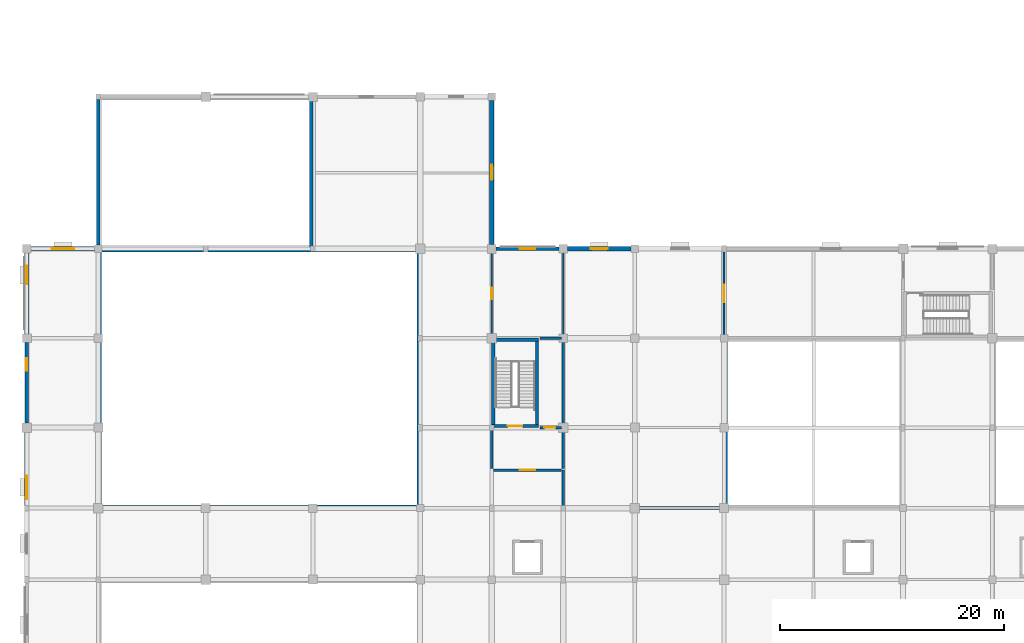
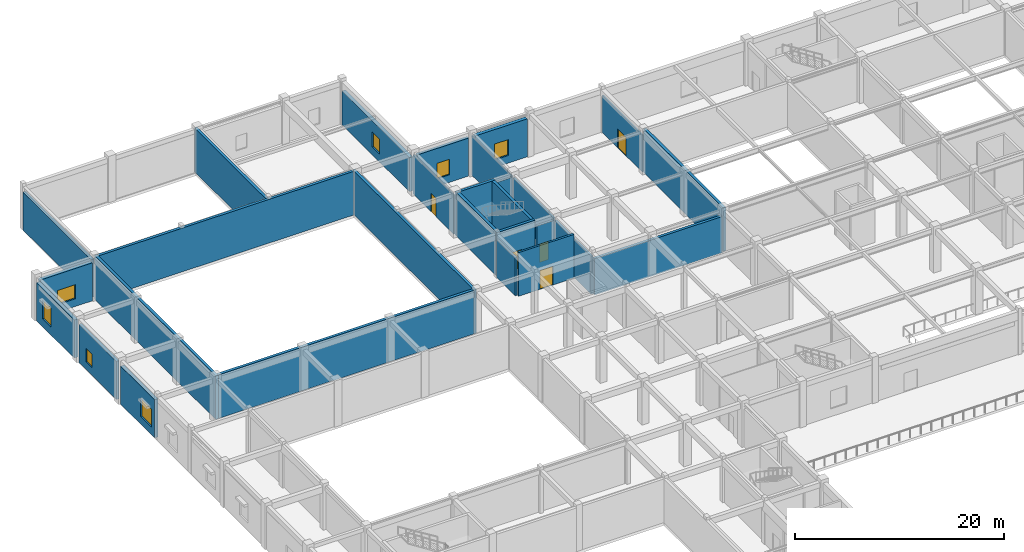
# One storey, part 25 of 36: 29 walls, 7 windows, 5 doors, 12 openings.
"""IFC4 building model written with IfcOpenShell, lengths in metres."""

from ifc_helpers import new_model, si_unit, direction, frame, frame_2d, origin, place, context, subcontext, project, spatial, rectangle, extrude, material, layer, layer_set, type_object, element, fill, save


model = new_model("IFC4")

# Units and contexts
model_context = context("Model", 3, precision=1e-05, world=origin(), true_north=direction((0.0, 1.0)))
body_context = subcontext(model_context, "Body", "Model", "MODEL_VIEW")
ifc_project = project(units=[si_unit("LENGTHUNIT", "METRE"), si_unit("AREAUNIT", "SQUARE_METRE"), si_unit("VOLUMEUNIT", "CUBIC_METRE"), si_unit("PLANEANGLEUNIT", "RADIAN"), si_unit("MASSUNIT", "GRAM", prefix="KILO")], contexts=[model_context])

# Site, building, storey
site_placement = place(None, origin())
site = spatial("IfcSite", under=ifc_project, at=site_placement, CompositionType="ELEMENT")
building_placement = place(site_placement, origin())
building = spatial("IfcBuilding", under=site, at=building_placement, Name="Vellmiral Cinema and Media Centre", CompositionType="ELEMENT")
storey_placement = place(building_placement, frame((0.0, 0.0, 5.39990234375)))
storey = spatial("IfcBuildingStorey", under=building, at=storey_placement, Name="L01", CompositionType="ELEMENT", Elevation=5.39990234375)

# Walls
ifc_material_1 = material(Name="Calcium-Silicate Masonry Blockwork", Category="masonry")
ifc_layer_1 = layer(ifc_material_1, 0.10009765625, Name="Calcium-Silicate Masonry Blockwork", Category="masonry")
ifc_material_2 = material(Name="Mineral Wool Acoustic Insulation", Category="insulation")
ifc_layer_2 = layer(ifc_material_2, 0.090087890625, Name="Mineral Wool Acoustic Insulation", Category="insulation")
ifc_layer_3 = layer(ifc_material_1, 0.10009765625, Name="Calcium-Silicate Masonry Blockwork", Category="masonry")
ifc_layer_set_1 = layer_set([ifc_layer_1, ifc_layer_2, ifc_layer_3], Name="Calcium-Silicate Masonry Blockwork")
wall_type_1 = type_object("IfcWallType", Name="WL-AC-290", PredefinedType="SOLIDWALL", material=ifc_layer_set_1)
wall_1_placement = place(storey_placement, frame((48.139892578125, 72.0, 0.0), z_axis=(0.0, 0.0, 1.0), x_axis=(1.0, 0.0, 0.0)))
element("IfcWall", 1, at=wall_1_placement, inside=storey, type_object=wall_type_1, Name="Broadcast Transmission Control Room A Wall N", PredefinedType="SOLIDWALL", context=body_context, shape_type="SweptSolid", body=[
    extrude(rectangle(XDim=14.1201171875, YDim=0.2900390625, at=frame_2d((7.06005859375, 0.0))), origin(), (0.0, 0.0, 1.0), 4.235107421875),
])
ifc_material_3 = material(Name="Concrete C40/50", Category="concrete")
ifc_layer_4 = layer(ifc_material_3, 0.2099609375, Name="Concrete C40/50")
ifc_layer_set_2 = layer_set([ifc_layer_4], Name="Concrete C40/50")
wall_type_2 = type_object("IfcWallType", Name="WL-COMP-210", PredefinedType="SOLIDWALL", material=ifc_layer_set_2)
wall_2_placement = place(storey_placement, frame((45.93994140625, 87.199951171875, 0.0), z_axis=(0.0, 0.0, 1.0), x_axis=(1.0, 0.0, 0.0)))
element("IfcWall", 2, at=wall_2_placement, inside=storey, type_object=wall_type_2, Name="North-West Core Smoke Riser Room Wall N", PredefinedType="SOLIDWALL", context=body_context, shape_type="SweptSolid", body=[
    extrude(rectangle(XDim=1.920166015625, YDim=0.2099609375, at=frame_2d((0.9599609375, 0.0))), origin(), (0.0, 0.0, 1.0), 4.585205078125),
])
wall_3_placement = place(storey_placement, frame((48.0, 79.340087890625, 0.0), z_axis=(0.0, 0.0, 1.0), x_axis=(0.0, 1.0, 0.0)))
element("IfcWall", 3, at=wall_3_placement, inside=storey, type_object=wall_type_2, Name="North-West Core Smoke Riser Room Wall E", PredefinedType="SOLIDWALL", context=body_context, shape_type="SweptSolid", body=[
    extrude(rectangle(XDim=7.719970703125, YDim=0.2099609375, at=frame_2d((3.85986328125, 0.0))), origin(), (0.0, 0.0, 1.0), 4.53515625),
])
ifc_material_4 = material(Name="Concrete C40/50", Category="concrete")
ifc_layer_5 = layer(ifc_material_4, 0.300048828125, Name="Concrete C40/50")
ifc_layer_set_3 = layer_set([ifc_layer_5], Name="Concrete C40/50")
wall_type_3 = type_object("IfcWallType", Name="WL-CORE-300", PredefinedType="SHEAR", material=ifc_layer_set_3)
for number, where, z_axis, x_axis, name in (
    (4, (6.699951171875, 72.14990234375, 0.0), (0.0, 0.0, 1.0), (1.0, 0.0, 0.0), "Cinema Screen 3 Acoustic Enclosure Wall L01-S1"),
    (5, (6.699951171875, 95.050048828125, 0.0), (0.0, 0.0, 1.0), (1.0, 0.0, 0.0), "Cinema Screen 3 Acoustic Enclosure Wall L01-N1"),
):
    element("IfcWall", number, at=place(storey_placement, frame(where, z_axis=z_axis, x_axis=x_axis)), inside=storey, type_object=wall_type_3, Name=name, PredefinedType="SHEAR", context=body_context, shape_type="SweptSolid", body=[
        extrude(rectangle(XDim=28.199951171875, YDim=0.300048828125, at=frame_2d((14.10009765625, 0.0))), origin(), (0.0, 0.0, 1.0), 5.10009765625),
    ])
for number, where, z_axis, x_axis, name in (
    (6, (6.550048828125, 72.0, 0.0), (0.0, 0.0, 1.0), (0.0, 1.0, 0.0), "Cinema Screen 3 Acoustic Enclosure Wall L01-W1"),
    (7, (35.050048828125, 72.0, 0.0), (0.0, 0.0, 1.0), (0.0, 1.0, 0.0), "Cinema Screen 3 Acoustic Enclosure Wall L01-E1"),
):
    element("IfcWall", number, at=place(storey_placement, frame(where, z_axis=z_axis, x_axis=x_axis)), inside=storey, type_object=wall_type_3, Name=name, PredefinedType="SHEAR", context=body_context, shape_type="SweptSolid", body=[
        extrude(rectangle(XDim=23.199951171875, YDim=0.300048828125, at=frame_2d((11.60009765625, 0.0))), origin(), (0.0, 0.0, 1.0), 5.10009765625),
    ])
wall_4_placement = place(storey_placement, frame((25.449951171875, 95.199951171875, 0.0), z_axis=(0.0, 0.0, 1.0), x_axis=(0.0, 1.0, 0.0)))
element("IfcWall", 8, at=wall_4_placement, inside=storey, type_object=wall_type_3, Name="Cinema Screen 4 Acoustic Enclosure Wall L01-E1", PredefinedType="SHEAR", context=body_context, shape_type="SweptSolid", body=[
    extrude(rectangle(XDim=13.60009765625, YDim=0.300048828125, at=frame_2d((6.800048828125, 0.0))), origin(), (0.0, 0.0, 1.0), 5.10009765625),
])
wall_5_placement = place(storey_placement, frame((62.550048828125, 72.0, 0.0), z_axis=(0.0, 0.0, 1.0), x_axis=(0.0, 1.0, 0.0)))
element("IfcWall", 9, at=wall_5_placement, inside=storey, type_object=wall_type_3, Name="Broadcast Studio A Acoustic Wall L01-W", PredefinedType="SHEAR", context=body_context, shape_type="SweptSolid", body=[
    extrude(rectangle(XDim=15.199951171875, YDim=0.300048828125, at=frame_2d((7.60009765625, 0.0))), origin(), (0.0, 0.0, 1.0), 5.10009765625),
])

# Wall, opening, door
wall_6_placement = place(storey_placement, frame((41.60009765625, 79.35009765625, 0.0), z_axis=(0.0, 0.0, 1.0), x_axis=(1.0, 0.0, 0.0)))
wall_6 = element("IfcWall", 10, at=wall_6_placement, inside=storey, type_object=wall_type_3, Name="Stair Core Wall ST-P2 L01-S", PredefinedType="SHEAR", context=body_context, shape_type="SweptSolid", body=[
    extrude(rectangle(XDim=4.199951171875, YDim=0.300048828125, at=frame_2d((2.10009765625, 0.0))), origin(), (0.0, 0.0, 1.0), 5.10009765625),
])
opening_1_placement = place(wall_6_placement, frame((1.449951171875, 0.0, 0.0)))
opening_1 = element("IfcOpeningElement", 11, at=opening_1_placement, cuts=wall_6, Name="Opening D-FD30A", PredefinedType="OPENING", context=body_context, shape_type="SweptSolid", body=[
    extrude(rectangle(XDim=1.300048828125, YDim=2.179931640625, at=frame_2d((0.64990234375, 1.08984375))), frame((0.0, 0.162109375, 0.0), z_axis=(0.0, -1.0, 0.0), x_axis=(1.0, 0.0, 0.0)), (0.0, 0.0, 1.0), 0.323974609375),
])
ifc_material_5 = material(Name="Steel Stair Fire Door", Category="steel")
door_type_1 = type_object("IfcDoorType", Name="DR-FD30-1300x2180", OperationType="NOTDEFINED", PredefinedType="DOOR", material=ifc_material_5)
door_1_placement = place(opening_1_placement, origin())
door_1 = element("IfcDoor", 12, at=door_1_placement, inside=storey, type_object=door_type_1, Name="Protected Stair Door ST-P2 L01", OperationType="SINGLE_SWING_LEFT", OverallHeight=2.179931640625, OverallWidth=1.300048828125, PredefinedType="DOOR", context=body_context, shape_type="SweptSolid", body=[
    extrude(rectangle(XDim=1.300048828125, YDim=2.179931640625, at=frame_2d((0.64990234375, 1.08984375))), frame((0.0, 0.02490234375, 0.0), z_axis=(0.0, -1.0, 0.0), x_axis=(1.0, 0.0, 0.0)), (0.0, 0.0, 1.0), 0.050048828125),
])
fill(opening_1, door_1)

# Walls
wall_7_placement = place(storey_placement, frame((41.60009765625, 87.050048828125, 0.0), z_axis=(0.0, 0.0, 1.0), x_axis=(1.0, 0.0, 0.0)))
element("IfcWall", 13, at=wall_7_placement, inside=storey, type_object=wall_type_3, Name="Stair Core Wall ST-P2 L01-N", PredefinedType="SHEAR", context=body_context, shape_type="SweptSolid", body=[
    extrude(rectangle(XDim=4.199951171875, YDim=0.300048828125, at=frame_2d((2.10009765625, 0.0))), origin(), (0.0, 0.0, 1.0), 5.10009765625),
])
for number, where, z_axis, x_axis, name in (
    (14, (41.75, 79.5, 0.0), (0.0, 0.0, 1.0), (0.0, 1.0, 0.0), "Stair Core Wall ST-P2 L01-W"),
    (15, (45.64990234375, 79.5, 0.0), (0.0, 0.0, 1.0), (0.0, 1.0, 0.0), "Stair Core Wall ST-P2 L01-E"),
):
    element("IfcWall", number, at=place(storey_placement, frame(where, z_axis=z_axis, x_axis=x_axis)), inside=storey, type_object=wall_type_3, Name=name, PredefinedType="SHEAR", context=body_context, shape_type="SweptSolid", body=[
        extrude(rectangle(XDim=7.39990234375, YDim=0.300048828125, at=frame_2d((3.699951171875, 0.0))), origin(), (0.0, 0.0, 1.0), 5.10009765625),
    ])

# Wall, opening, window
ifc_material_6 = material(Name="Polychrome Glazed Ceramic Cladding", Category="masonry")
ifc_layer_6 = layer(ifc_material_6, 0.320068359375, Name="Polychrome Glazed Ceramic Cladding")
ifc_layer_set_4 = layer_set([ifc_layer_6], Name="Polychrome Glazed Ceramic Cladding")
wall_type_4 = type_object("IfcWallType", Name="WL-EXT-BRICK-320", PredefinedType="SOLIDWALL", material=ifc_layer_set_4)
wall_8_placement = place(storey_placement, frame((47.625, 95.199951171875, 0.0), z_axis=(0.0, 0.0, 1.0), x_axis=(-1.0, 0.0, 0.0)))
wall_8 = element("IfcWall", 16, at=wall_8_placement, inside=storey, type_object=wall_type_4, Name="Exterior Facade Wall L01-060", PredefinedType="SOLIDWALL", context=body_context, shape_type="SweptSolid", body=[
    extrude(rectangle(XDim=5.625, YDim=0.320068359375, at=frame_2d((2.8125, 0.0))), origin(), (0.0, 0.0, 1.0), 4.440185546875),
])
opening_2_placement = place(wall_8_placement, frame((2.112548828125, 0.0, 0.89990234375)))
opening_2 = element("IfcOpeningElement", 17, at=opening_2_placement, cuts=wall_8, Name="Opening WN-07", PredefinedType="OPENING", context=body_context, shape_type="SweptSolid", body=[
    extrude(rectangle(XDim=1.39990234375, YDim=1.800048828125, at=frame_2d((0.699951171875, 0.89990234375))), frame((0.0, 0.171875, 0.0), z_axis=(0.0, -1.0, 0.0), x_axis=(1.0, 0.0, 0.0)), (0.0, 0.0, 1.0), 0.343994140625),
])
ifc_material_7 = material(Name="Thermally Broken Aluminium Triple Glazing", Category="aluminium")
window_type_1 = type_object("IfcWindowType", Name="WN-1400x1800", PartitioningType="SINGLE_PANEL", PredefinedType="WINDOW", material=ifc_material_7)
window_1_placement = place(opening_2_placement, origin())
window_1 = element("IfcWindow", 18, at=window_1_placement, inside=storey, type_object=window_type_1, Name="Window L01-060", OverallHeight=1.800048828125, OverallWidth=1.39990234375, PartitioningType="SINGLE_PANEL", PredefinedType="WINDOW", context=body_context, shape_type="SweptSolid", body=[
    extrude(rectangle(XDim=1.39990234375, YDim=1.800048828125, at=frame_2d((0.699951171875, 0.89990234375))), frame((0.0, 0.030029296875, 0.0), z_axis=(0.0, -1.0, 0.0), x_axis=(1.0, 0.0, 0.0)), (0.0, 0.0, 1.0), 0.06005859375),
])
fill(opening_2, window_1)

# Wall
wall_9_placement = place(storey_placement, frame((6.39990234375, 108.550048828125, 0.0), z_axis=(0.0, 0.0, 1.0), x_axis=(0.0, -1.0, 0.0)))
element("IfcWall", 19, at=wall_9_placement, inside=storey, type_object=wall_type_4, Name="Exterior Facade Wall L01-066", PredefinedType="SOLIDWALL", context=body_context, shape_type="SweptSolid", body=[
    extrude(rectangle(XDim=13.025146484375, YDim=0.320068359375, at=frame_2d((6.5126953125, 0.0))), origin(), (0.0, 0.0, 1.0), 4.43505859375),
])

# Wall, opening, window
wall_10_placement = place(storey_placement, frame((0.0, 86.800048828125, 0.0), z_axis=(0.0, 0.0, 1.0), x_axis=(0.0, -1.0, 0.0)))
wall_10 = element("IfcWall", 20, at=wall_10_placement, inside=storey, type_object=wall_type_4, Name="Exterior Facade Wall L01-069", PredefinedType="SOLIDWALL", context=body_context, shape_type="SweptSolid", body=[
    extrude(rectangle(XDim=7.175048828125, YDim=0.320068359375, at=frame_2d((3.58740234375, 0.0))), origin(), (0.0, 0.0, 1.0), 4.440185546875),
])
opening_3_placement = place(wall_10_placement, frame((1.387451171875, 0.0, 0.89990234375)))
opening_3 = element("IfcOpeningElement", 21, at=opening_3_placement, cuts=wall_10, Name="Opening WN-11", PredefinedType="OPENING", context=body_context, shape_type="SweptSolid", body=[
    extrude(rectangle(XDim=1.10009765625, YDim=1.550048828125, at=frame_2d((0.550048828125, 0.77490234375))), frame((0.0, 0.171875, 0.0), z_axis=(0.0, -1.0, 0.0), x_axis=(1.0, 0.0, 0.0)), (0.0, 0.0, 1.0), 0.343994140625),
])
ifc_material_8 = material(Name="Thermally Broken Aluminium Triple Glazing", Category="aluminium")
window_type_2 = type_object("IfcWindowType", Name="WN-1100x1550", PartitioningType="SINGLE_PANEL", PredefinedType="WINDOW", material=ifc_material_8)
window_2_placement = place(opening_3_placement, origin())
window_2 = element("IfcWindow", 22, at=window_2_placement, inside=storey, type_object=window_type_2, Name="Window L01-069", OverallHeight=1.550048828125, OverallWidth=1.10009765625, PartitioningType="SINGLE_PANEL", PredefinedType="WINDOW", context=body_context, shape_type="SweptSolid", body=[
    extrude(rectangle(XDim=1.10009765625, YDim=1.550048828125, at=frame_2d((0.550048828125, 0.77490234375))), frame((0.0, 0.030029296875, 0.0), z_axis=(0.0, -1.0, 0.0), x_axis=(1.0, 0.0, 0.0)), (0.0, 0.0, 1.0), 0.06005859375),
])
fill(opening_3, window_2)

ifc_material_9 = material(Name="Vosges Red Sandstone Masonry", Category="masonry")
ifc_layer_7 = layer(ifc_material_9, 0.3798828125, Name="Vosges Red Sandstone Masonry")
ifc_layer_set_5 = layer_set([ifc_layer_7], Name="Vosges Red Sandstone Masonry")
wall_type_5 = type_object("IfcWallType", Name="WL-EXT-SAND-380", PredefinedType="SOLIDWALL", material=ifc_layer_set_5)
wall_11_placement = place(storey_placement, frame((54.074951171875, 95.199951171875, 0.0), z_axis=(0.0, 0.0, 1.0), x_axis=(-1.0, 0.0, 0.0)))
wall_11 = element("IfcWall", 23, at=wall_11_placement, inside=storey, type_object=wall_type_5, Name="Exterior Facade Wall L01-059", PredefinedType="SOLIDWALL", context=body_context, shape_type="SweptSolid", body=[
    extrude(rectangle(XDim=5.699951171875, YDim=0.3798828125, at=frame_2d((2.85009765625, 0.0))), origin(), (0.0, 0.0, 1.0), 4.440185546875),
])
opening_4_placement = place(wall_11_placement, frame((2.10009765625, 0.0, 0.89990234375)))
opening_4 = element("IfcOpeningElement", 24, at=opening_4_placement, cuts=wall_11, Name="Opening WN-06", PredefinedType="OPENING", context=body_context, shape_type="SweptSolid", body=[
    extrude(rectangle(XDim=1.5, YDim=1.85009765625, at=frame_2d((0.75, 0.925048828125))), frame((0.0, 0.201904296875, 0.0), z_axis=(0.0, -1.0, 0.0), x_axis=(1.0, 0.0, 0.0)), (0.0, 0.0, 1.0), 0.40380859375),
])
ifc_material_10 = material(Name="Thermally Broken Aluminium Triple Glazing", Category="aluminium")
window_type_3 = type_object("IfcWindowType", Name="WN-1500x1850", PartitioningType="SINGLE_PANEL", PredefinedType="WINDOW", material=ifc_material_10)
window_3_placement = place(opening_4_placement, origin())
window_3 = element("IfcWindow", 25, at=window_3_placement, inside=storey, type_object=window_type_3, Name="Window L01-059", OverallHeight=1.85009765625, OverallWidth=1.5, PartitioningType="SINGLE_PANEL", PredefinedType="WINDOW", context=body_context, shape_type="SweptSolid", body=[
    extrude(rectangle(XDim=1.5, YDim=1.85009765625, at=frame_2d((0.75, 0.925048828125))), frame((0.0, 0.030029296875, 0.0), z_axis=(0.0, -1.0, 0.0), x_axis=(1.0, 0.0, 0.0)), (0.0, 0.0, 1.0), 0.06005859375),
])
fill(opening_4, window_3)

wall_12_placement = place(storey_placement, frame((41.60009765625, 95.60009765625, 0.0), z_axis=(0.0, 0.0, 1.0), x_axis=(0.0, 1.0, 0.0)))
wall_12 = element("IfcWall", 26, at=wall_12_placement, inside=storey, type_object=wall_type_5, Name="Exterior Facade Wall L01-061", PredefinedType="SOLIDWALL", context=body_context, shape_type="SweptSolid", body=[
    extrude(rectangle(XDim=12.875, YDim=0.3798828125, at=frame_2d((6.4375, 0.0))), origin(), (0.0, 0.0, 1.0), 3.97509765625),
])
opening_5_placement = place(wall_12_placement, frame((5.762451171875, 0.0, 0.89990234375)))
opening_5 = element("IfcOpeningElement", 27, at=opening_5_placement, cuts=wall_12, Name="Opening WN-08", PredefinedType="OPENING", context=body_context, shape_type="SweptSolid", body=[
    extrude(rectangle(XDim=1.35009765625, YDim=1.75, at=frame_2d((0.675048828125, 0.875))), frame((0.0, 0.201904296875, 0.0), z_axis=(0.0, -1.0, 0.0), x_axis=(1.0, 0.0, 0.0)), (0.0, 0.0, 1.0), 0.40380859375),
])
ifc_material_11 = material(Name="Thermally Broken Aluminium Triple Glazing", Category="aluminium")
window_type_4 = type_object("IfcWindowType", Name="WN-1350x1750", PartitioningType="SINGLE_PANEL", PredefinedType="WINDOW", material=ifc_material_11)
window_4_placement = place(opening_5_placement, origin())
window_4 = element("IfcWindow", 28, at=window_4_placement, inside=storey, type_object=window_type_4, Name="Window L01-061", OverallHeight=1.75, OverallWidth=1.35009765625, PartitioningType="SINGLE_PANEL", PredefinedType="WINDOW", context=body_context, shape_type="SweptSolid", body=[
    extrude(rectangle(XDim=1.35009765625, YDim=1.75, at=frame_2d((0.675048828125, 0.875))), frame((0.0, 0.030029296875, 0.0), z_axis=(0.0, -1.0, 0.0), x_axis=(1.0, 0.0, 0.0)), (0.0, 0.0, 1.0), 0.06005859375),
])
fill(opening_5, window_4)

wall_13_placement = place(storey_placement, frame((6.074951171875, 95.199951171875, 0.0), z_axis=(0.0, 0.0, 1.0), x_axis=(-1.0, 0.0, 0.0)))
wall_13 = element("IfcWall", 29, at=wall_13_placement, inside=storey, type_object=wall_type_5, Name="Exterior Facade Wall L01-067", PredefinedType="SOLIDWALL", context=body_context, shape_type="SweptSolid", body=[
    extrude(rectangle(XDim=5.699951171875, YDim=0.3798828125, at=frame_2d((2.85009765625, 0.0))), origin(), (0.0, 0.0, 1.0), 4.440185546875),
])
opening_6_placement = place(wall_13_placement, frame((1.85009765625, 0.0, 0.89990234375)))
opening_6 = element("IfcOpeningElement", 30, at=opening_6_placement, cuts=wall_13, Name="Opening WN-14", PredefinedType="OPENING", context=body_context, shape_type="SweptSolid", body=[
    extrude(rectangle(XDim=2.0, YDim=1.64990234375, at=frame_2d((1.0, 0.824951171875))), frame((0.0, 0.201904296875, 0.0), z_axis=(0.0, -1.0, 0.0), x_axis=(1.0, 0.0, 0.0)), (0.0, 0.0, 1.0), 0.40380859375),
])
ifc_material_12 = material(Name="Thermally Broken Aluminium Triple Glazing", Category="aluminium")
window_type_5 = type_object("IfcWindowType", Name="WN-2000x1650", PartitioningType="DOUBLE_PANEL_HORIZONTAL", PredefinedType="WINDOW", material=ifc_material_12)
window_5_placement = place(opening_6_placement, origin())
window_5 = element("IfcWindow", 31, at=window_5_placement, inside=storey, type_object=window_type_5, Name="Window L01-067", OverallHeight=1.64990234375, OverallWidth=2.0, PartitioningType="DOUBLE_PANEL_HORIZONTAL", PredefinedType="WINDOW", context=body_context, shape_type="SweptSolid", body=[
    extrude(rectangle(XDim=2.0, YDim=1.64990234375, at=frame_2d((1.0, 0.824951171875))), frame((0.0, 0.030029296875, 0.0), z_axis=(0.0, -1.0, 0.0), x_axis=(1.0, 0.0, 0.0)), (0.0, 0.0, 1.0), 0.06005859375),
])
fill(opening_6, window_5)

wall_14_placement = place(storey_placement, frame((0.0, 94.824951171875, 0.0), z_axis=(0.0, 0.0, 1.0), x_axis=(0.0, -1.0, 0.0)))
wall_14 = element("IfcWall", 32, at=wall_14_placement, inside=storey, type_object=wall_type_5, Name="Exterior Facade Wall L01-068", PredefinedType="SOLIDWALL", context=body_context, shape_type="SweptSolid", body=[
    extrude(rectangle(XDim=7.224853515625, YDim=0.3798828125, at=frame_2d((3.6123046875, 0.0))), origin(), (0.0, 0.0, 1.0), 4.440185546875),
])
opening_7_placement = place(wall_14_placement, frame((1.137451171875, 0.0, 0.89990234375)))
opening_7 = element("IfcOpeningElement", 33, at=opening_7_placement, cuts=wall_14, Name="Opening WN-15", PredefinedType="OPENING", context=body_context, shape_type="SweptSolid", body=[
    extrude(rectangle(XDim=1.64990234375, YDim=2.199951171875, at=frame_2d((0.824951171875, 1.10009765625))), frame((0.0, 0.201904296875, 0.0), z_axis=(0.0, -1.0, 0.0), x_axis=(1.0, 0.0, 0.0)), (0.0, 0.0, 1.0), 0.40380859375),
])
ifc_material_13 = material(Name="Thermally Broken Aluminium Triple Glazing", Category="aluminium")
window_type_6 = type_object("IfcWindowType", Name="WN-1650x2200", PartitioningType="TRIPLE_PANEL_HORIZONTAL", PredefinedType="WINDOW", material=ifc_material_13)
window_6_placement = place(opening_7_placement, origin())
window_6 = element("IfcWindow", 34, at=window_6_placement, inside=storey, type_object=window_type_6, Name="Window L01-068", OverallHeight=2.199951171875, OverallWidth=1.64990234375, PartitioningType="TRIPLE_PANEL_HORIZONTAL", PredefinedType="WINDOW", context=body_context, shape_type="SweptSolid", body=[
    extrude(rectangle(XDim=1.64990234375, YDim=2.199951171875, at=frame_2d((0.824951171875, 1.10009765625))), frame((0.0, 0.030029296875, 0.0), z_axis=(0.0, -1.0, 0.0), x_axis=(1.0, 0.0, 0.0)), (0.0, 0.0, 1.0), 0.06005859375),
])
fill(opening_7, window_6)

wall_15_placement = place(storey_placement, frame((0.0, 78.77490234375, 0.0), z_axis=(0.0, 0.0, 1.0), x_axis=(0.0, -1.0, 0.0)))
wall_15 = element("IfcWall", 35, at=wall_15_placement, inside=storey, type_object=wall_type_5, Name="Exterior Facade Wall L01-070", PredefinedType="SOLIDWALL", context=body_context, shape_type="SweptSolid", body=[
    extrude(rectangle(XDim=6.52490234375, YDim=0.3798828125, at=frame_2d((3.262451171875, 0.0))), origin(), (0.0, 0.0, 1.0), 4.440185546875),
])
opening_8_placement = place(wall_15_placement, frame((3.862548828125, 0.0, 0.89990234375)))
opening_8 = element("IfcOpeningElement", 36, at=opening_8_placement, cuts=wall_15, Name="Opening WN-02", PredefinedType="OPENING", context=body_context, shape_type="SweptSolid", body=[
    extrude(rectangle(XDim=2.10009765625, YDim=2.10009765625, at=frame_2d((1.050048828125, 1.050048828125))), frame((0.0, 0.201904296875, 0.0), z_axis=(0.0, -1.0, 0.0), x_axis=(1.0, 0.0, 0.0)), (0.0, 0.0, 1.0), 0.40380859375),
])
ifc_material_14 = material(Name="Thermally Broken Aluminium Triple Glazing", Category="aluminium")
window_type_7 = type_object("IfcWindowType", Name="WN-2100x2100", PartitioningType="DOUBLE_PANEL_VERTICAL", PredefinedType="WINDOW", material=ifc_material_14)
window_7_placement = place(opening_8_placement, origin())
window_7 = element("IfcWindow", 37, at=window_7_placement, inside=storey, type_object=window_type_7, Name="Window L01-070", OverallHeight=2.10009765625, OverallWidth=2.10009765625, PartitioningType="DOUBLE_PANEL_VERTICAL", PredefinedType="WINDOW", context=body_context, shape_type="SweptSolid", body=[
    extrude(rectangle(XDim=2.10009765625, YDim=2.10009765625, at=frame_2d((1.050048828125, 1.050048828125))), frame((0.0, 0.030029296875, 0.0), z_axis=(0.0, -1.0, 0.0), x_axis=(1.0, 0.0, 0.0)), (0.0, 0.0, 1.0), 0.06005859375),
])
fill(opening_8, window_7)

# Wall, opening, door
ifc_material_15 = material(Name="Concrete C40/50", Category="concrete")
ifc_layer_8 = layer(ifc_material_15, 0.22998046875, Name="Concrete C40/50")
ifc_layer_set_6 = layer_set([ifc_layer_8], Name="Concrete C40/50")
wall_type_6 = type_object("IfcWallType", Name="WL-FFL-230", PredefinedType="SOLIDWALL", material=ifc_layer_set_6)
wall_16_placement = place(storey_placement, frame((41.739990234375, 75.39990234375, 0.0), z_axis=(0.0, 0.0, 1.0), x_axis=(1.0, 0.0, 0.0)))
wall_16 = element("IfcWall", 38, at=wall_16_placement, inside=storey, type_object=wall_type_6, Name="Firefighting Stair Lobby ST-P2 Wall S", PredefinedType="SOLIDWALL", context=body_context, shape_type="SweptSolid", body=[
    extrude(rectangle(XDim=6.1201171875, YDim=0.22998046875, at=frame_2d((3.06005859375, 0.0))), origin(), (0.0, 0.0, 1.0), 5.10009765625),
])
opening_9_placement = place(wall_16_placement, frame((2.360107421875, 0.0, 0.0)))
opening_9 = element("IfcOpeningElement", 39, at=opening_9_placement, cuts=wall_16, Name="Opening D-FD60B", PredefinedType="OPENING", context=body_context, shape_type="SweptSolid", body=[
    extrude(rectangle(XDim=1.39990234375, YDim=2.199951171875, at=frame_2d((0.699951171875, 1.10009765625))), frame((0.0, 0.126953125, 0.0), z_axis=(0.0, -1.0, 0.0), x_axis=(1.0, 0.0, 0.0)), (0.0, 0.0, 1.0), 0.25390625),
])
ifc_material_16 = material(Name="Steel Fire Door", Category="steel")
door_type_2 = type_object("IfcDoorType", Name="DR-FD60-1400x2200", OperationType="NOTDEFINED", PredefinedType="DOOR", material=ifc_material_16)
door_2_placement = place(opening_9_placement, origin())
door_2 = element("IfcDoor", 40, at=door_2_placement, inside=storey, type_object=door_type_2, Name="Firefighting Stair Lobby ST-P2 Door", OperationType="SINGLE_SWING_LEFT", OverallHeight=2.199951171875, OverallWidth=1.39990234375, PredefinedType="DOOR", context=body_context, shape_type="SweptSolid", body=[
    extrude(rectangle(XDim=1.39990234375, YDim=2.199951171875, at=frame_2d((0.699951171875, 1.10009765625))), frame((0.0, 0.02490234375, 0.0), z_axis=(0.0, -1.0, 0.0), x_axis=(1.0, 0.0, 0.0)), (0.0, 0.0, 1.0), 0.050048828125),
])
fill(opening_9, door_2)

wall_17_placement = place(storey_placement, frame((45.93994140625, 79.199951171875, 0.0), z_axis=(0.0, 0.0, 1.0), x_axis=(1.0, 0.0, 0.0)))
wall_17 = element("IfcWall", 41, at=wall_17_placement, inside=storey, type_object=wall_type_6, Name="Firefighting Stair Lobby ST-P2 Wall N", PredefinedType="SOLIDWALL", context=body_context, shape_type="SweptSolid", body=[
    extrude(rectangle(XDim=1.920166015625, YDim=0.22998046875, at=frame_2d((0.9599609375, 0.0))), origin(), (0.0, 0.0, 1.0), 4.43505859375),
])
opening_10_placement = place(wall_17_placement, frame((0.360107421875, 0.0, 0.0)))
opening_10 = element("IfcOpeningElement", 42, at=opening_10_placement, cuts=wall_17, Name="Opening D-FD30B", PredefinedType="OPENING", context=body_context, shape_type="SweptSolid", body=[
    extrude(rectangle(XDim=1.0, YDim=2.14990234375, at=frame_2d((0.5, 1.074951171875))), frame((0.0, 0.126953125, 0.0), z_axis=(0.0, -1.0, 0.0), x_axis=(1.0, 0.0, 0.0)), (0.0, 0.0, 1.0), 0.25390625),
])
ifc_material_17 = material(Name="Steel Riser Fire Door", Category="steel")
door_type_3 = type_object("IfcDoorType", Name="DR-FD30-1000x2150", OperationType="NOTDEFINED", PredefinedType="DOOR", material=ifc_material_17)
door_3_placement = place(opening_10_placement, origin())
door_3 = element("IfcDoor", 43, at=door_3_placement, inside=storey, type_object=door_type_3, Name="North-West Core Smoke Riser Room Door", OperationType="SINGLE_SWING_LEFT", OverallHeight=2.14990234375, OverallWidth=1.0, PredefinedType="DOOR", context=body_context, shape_type="SweptSolid", body=[
    extrude(rectangle(XDim=1.0, YDim=2.14990234375, at=frame_2d((0.5, 1.074951171875))), frame((0.0, 0.02490234375, 0.0), z_axis=(0.0, -1.0, 0.0), x_axis=(1.0, 0.0, 0.0)), (0.0, 0.0, 1.0), 0.050048828125),
])
fill(opening_10, door_3)

# Walls
for number, where, z_axis, x_axis, name in (
    (44, (41.60009765625, 75.5400390625, 0.0), (0.0, 0.0, 1.0), (0.0, 1.0, 0.0), "Firefighting Stair Lobby ST-P2 Wall W"),
    (45, (48.0, 75.5400390625, 0.0), (0.0, 0.0, 1.0), (0.0, 1.0, 0.0), "Firefighting Stair Lobby ST-P2 Wall E"),
):
    element("IfcWall", number, at=place(storey_placement, frame(where, z_axis=z_axis, x_axis=x_axis)), inside=storey, type_object=wall_type_6, Name=name, PredefinedType="SOLIDWALL", context=body_context, shape_type="SweptSolid", body=[
        extrude(rectangle(XDim=3.52001953125, YDim=0.22998046875, at=frame_2d((1.760009765625, 0.0))), origin(), (0.0, 0.0, 1.0), 4.43505859375),
    ])
ifc_material_18 = material(Name="Gypsum Plasterboard")
ifc_layer_9 = layer(ifc_material_18, 0.02490234375, Name="Gypsum Plasterboard", Category="gypsum")
ifc_material_19 = material(Name="Mineral Wool Acoustic Insulation", Category="insulation")
ifc_layer_10 = layer(ifc_material_19, 0.06005859375, Name="Mineral Wool Acoustic Insulation", Category="insulation")
ifc_layer_11 = layer(ifc_material_18, 0.02490234375, Name="Gypsum Plasterboard", Category="gypsum")
ifc_layer_set_7 = layer_set([ifc_layer_9, ifc_layer_10, ifc_layer_11], Name="Gypsum Plasterboard")
wall_type_7 = type_object("IfcWallType", Name="WL-PART-110", PredefinedType="PARTITIONING", material=ifc_layer_set_7)
wall_18_placement = place(storey_placement, frame((48.0, 87.340087890625, 0.0), z_axis=(0.0, 0.0, 1.0), x_axis=(0.0, 1.0, 0.0)))
element("IfcWall", 46, at=wall_18_placement, inside=storey, type_object=wall_type_7, Name="Cinema Projection Booths West North Wall E", PredefinedType="PARTITIONING", context=body_context, shape_type="SweptSolid", body=[
    extrude(rectangle(XDim=7.7548828125, YDim=0.110107421875, at=frame_2d((3.87744140625, 0.0))), origin(), (0.0, 0.0, 1.0), 4.585205078125),
])

# Wall, opening, door
ifc_material_20 = material(Name="Gypsum Plasterboard")
ifc_layer_12 = layer(ifc_material_20, 0.02490234375, Name="Gypsum Plasterboard", Category="gypsum")
ifc_material_21 = material(Name="Mineral Wool Acoustic Insulation", Category="insulation")
ifc_layer_13 = layer(ifc_material_21, 0.080078125, Name="Mineral Wool Acoustic Insulation", Category="insulation")
ifc_layer_14 = layer(ifc_material_20, 0.02490234375, Name="Gypsum Plasterboard", Category="gypsum")
ifc_layer_set_8 = layer_set([ifc_layer_12, ifc_layer_13, ifc_layer_14], Name="Gypsum Plasterboard")
wall_type_8 = type_object("IfcWallType", Name="WL-PART-130", PredefinedType="PARTITIONING", material=ifc_layer_set_8)
wall_19_placement = place(storey_placement, frame((41.60009765625, 87.340087890625, 0.0), z_axis=(0.0, 0.0, 1.0), x_axis=(0.0, 1.0, 0.0)))
wall_19 = element("IfcWall", 47, at=wall_19_placement, inside=storey, type_object=wall_type_8, Name="Cinema Projection Booths West North Wall W", PredefinedType="PARTITIONING", context=body_context, shape_type="SweptSolid", body=[
    extrude(rectangle(XDim=7.7548828125, YDim=0.1298828125, at=frame_2d((3.87744140625, 0.0))), origin(), (0.0, 0.0, 1.0), 4.585205078125),
])
opening_11_placement = place(wall_19_placement, frame((3.360107421875, 0.0, 0.0)))
opening_11 = element("IfcOpeningElement", 48, at=opening_11_placement, cuts=wall_19, Name="Opening D-I08", PredefinedType="OPENING", context=body_context, shape_type="SweptSolid", body=[
    extrude(rectangle(XDim=1.0, YDim=2.14990234375, at=frame_2d((0.5, 1.074951171875))), frame((0.0, 0.076904296875, 0.0), z_axis=(0.0, -1.0, 0.0), x_axis=(1.0, 0.0, 0.0)), (0.0, 0.0, 1.0), 0.15380859375),
])
ifc_material_22 = material(Name="Laminated Timber Door", Category="wood")
door_type_4 = type_object("IfcDoorType", Name="DR-INT-1000x2150", OperationType="NOTDEFINED", PredefinedType="DOOR", material=ifc_material_22)
door_4_placement = place(opening_11_placement, origin())
door_4 = element("IfcDoor", 49, at=door_4_placement, inside=storey, type_object=door_type_4, Name="Cinema Projection Booths West North Door", OperationType="SINGLE_SWING_RIGHT", OverallHeight=2.14990234375, OverallWidth=1.0, PredefinedType="DOOR", context=body_context, shape_type="SweptSolid", body=[
    extrude(rectangle(XDim=1.0, YDim=2.14990234375, at=frame_2d((0.5, 1.074951171875))), frame((0.0, 0.02490234375, 0.0), z_axis=(0.0, -1.0, 0.0), x_axis=(1.0, 0.0, 0.0)), (0.0, 0.0, 1.0), 0.050048828125),
])
fill(opening_11, door_4)

ifc_material_23 = material(Name="Gypsum Plasterboard")
ifc_layer_15 = layer(ifc_material_23, 0.02490234375, Name="Gypsum Plasterboard", Category="gypsum")
ifc_material_24 = material(Name="Mineral Wool Acoustic Insulation", Category="insulation")
ifc_layer_16 = layer(ifc_material_24, 0.1201171875, Name="Mineral Wool Acoustic Insulation", Category="insulation")
ifc_layer_17 = layer(ifc_material_23, 0.02490234375, Name="Gypsum Plasterboard", Category="gypsum")
ifc_layer_set_9 = layer_set([ifc_layer_15, ifc_layer_16, ifc_layer_17], Name="Gypsum Plasterboard")
wall_type_9 = type_object("IfcWallType", Name="WL-PART-170", PredefinedType="PARTITIONING", material=ifc_layer_set_9)
wall_20_placement = place(storey_placement, frame((62.39990234375, 87.340087890625, 0.0), z_axis=(0.0, 0.0, 1.0), x_axis=(0.0, 1.0, 0.0)))
wall_20 = element("IfcWall", 50, at=wall_20_placement, inside=storey, type_object=wall_type_9, Name="Media Library Upper Reading Hall Wall E", PredefinedType="PARTITIONING", context=body_context, shape_type="SweptSolid", body=[
    extrude(rectangle(XDim=7.655029296875, YDim=0.169921875, at=frame_2d((3.82763671875, 0.0))), origin(), (0.0, 0.0, 1.0), 4.28515625),
])
opening_12_placement = place(wall_20_placement, frame((3.06005859375, 0.0, 0.0)))
opening_12 = element("IfcOpeningElement", 51, at=opening_12_placement, cuts=wall_20, Name="Opening D-I02", PredefinedType="OPENING", context=body_context, shape_type="SweptSolid", body=[
    extrude(rectangle(XDim=1.60009765625, YDim=2.199951171875, at=frame_2d((0.800048828125, 1.10009765625))), frame((0.0, 0.096923828125, 0.0), z_axis=(0.0, -1.0, 0.0), x_axis=(1.0, 0.0, 0.0)), (0.0, 0.0, 1.0), 0.19384765625),
])
ifc_material_25 = material(Name="Laminated Timber and Glass Door", Category="wood")
door_type_5 = type_object("IfcDoorType", Name="DR-INT-1600x2200", OperationType="DOUBLE_DOOR_SINGLE_SWING", PredefinedType="DOOR", material=ifc_material_25)
door_5_placement = place(opening_12_placement, origin())
door_5 = element("IfcDoor", 52, at=door_5_placement, inside=storey, type_object=door_type_5, Name="Media Library Upper Reading Hall Door", OperationType="DOUBLE_DOOR_SINGLE_SWING", OverallHeight=2.199951171875, OverallWidth=1.60009765625, PredefinedType="DOOR", context=body_context, shape_type="SweptSolid", body=[
    extrude(rectangle(XDim=1.60009765625, YDim=2.199951171875, at=frame_2d((0.800048828125, 1.10009765625))), frame((0.0, 0.02490234375, 0.0), z_axis=(0.0, -1.0, 0.0), x_axis=(1.0, 0.0, 0.0)), (0.0, 0.0, 1.0), 0.050048828125),
])
fill(opening_12, door_5)

# Wall
ifc_material_26 = material(Name="Gypsum Plasterboard")
ifc_layer_18 = layer(ifc_material_26, 0.02490234375, Name="Gypsum Plasterboard", Category="gypsum")
ifc_material_27 = material(Name="Mineral Wool Acoustic Insulation", Category="insulation")
ifc_layer_19 = layer(ifc_material_27, 0.139892578125, Name="Mineral Wool Acoustic Insulation", Category="insulation")
ifc_layer_20 = layer(ifc_material_26, 0.02490234375, Name="Gypsum Plasterboard", Category="gypsum")
ifc_layer_set_10 = layer_set([ifc_layer_18, ifc_layer_19, ifc_layer_20], Name="Gypsum Plasterboard")
wall_type_10 = type_object("IfcWallType", Name="WL-PART-190", PredefinedType="PARTITIONING", material=ifc_layer_set_10)
wall_21_placement = place(storey_placement, frame((48.0, 72.139892578125, 0.0), z_axis=(0.0, 0.0, 1.0), x_axis=(0.0, 1.0, 0.0)))
element("IfcWall", 53, at=wall_21_placement, inside=storey, type_object=wall_type_10, Name="Media Library Upper Reading Hall Wall W", PredefinedType="PARTITIONING", context=body_context, shape_type="SweptSolid", body=[
    extrude(rectangle(XDim=3.260009765625, YDim=0.18994140625, at=frame_2d((1.6298828125, 0.0))), origin(), (0.0, 0.0, 1.0), 4.43505859375),
])

save(model, "model.ifc")
